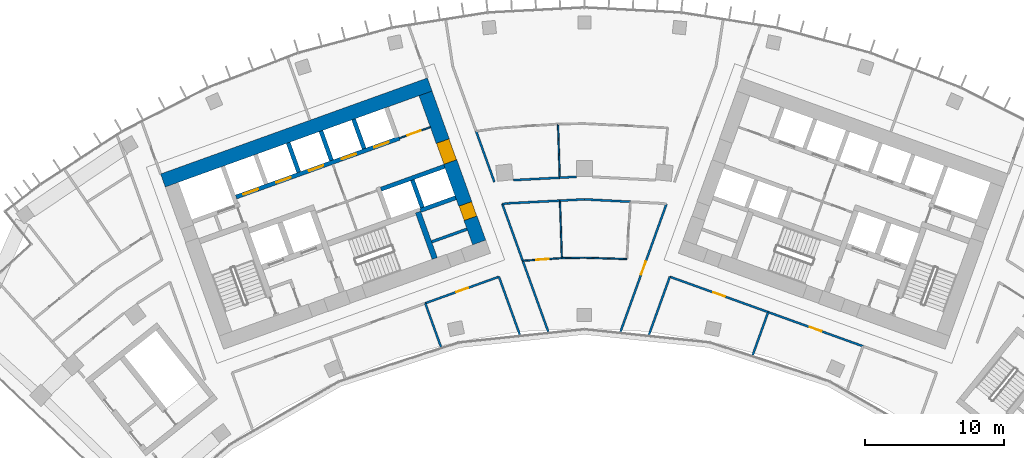
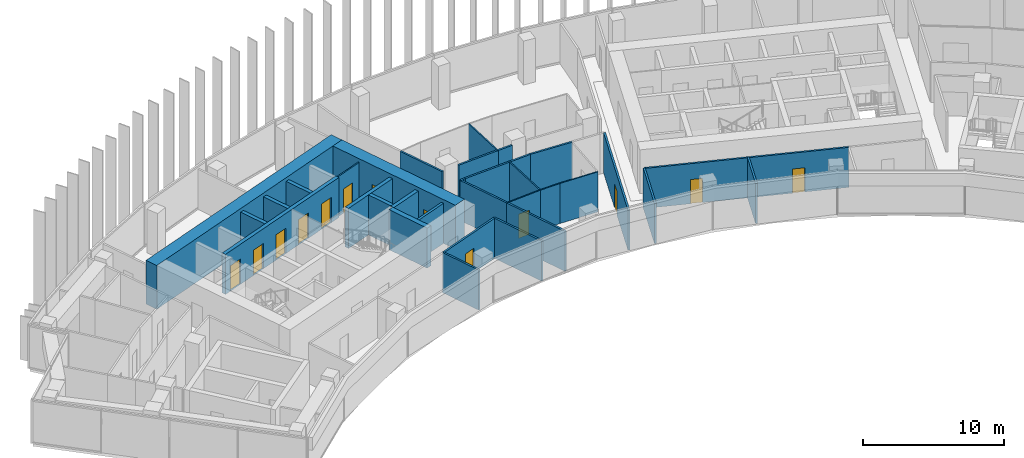
# One storey, part 15 of 20: 34 walls, 13 doors, 13 openings.
"""IFC4 building model written with IfcOpenShell, lengths in metres."""

from ifc_helpers import new_model, si_unit, direction, frame, frame_2d, origin, place, context, subcontext, project, spatial, rectangle, extrude, material, layer, layer_set, type_object, element, fill, save


model = new_model("IFC4")

# Units and contexts
model_context = context("Model", 3, precision=1e-05, world=origin(), true_north=direction((0.0, 1.0)))
body_context = subcontext(model_context, "Body", "Model", "MODEL_VIEW")
ifc_project = project(units=[si_unit("LENGTHUNIT", "METRE"), si_unit("AREAUNIT", "SQUARE_METRE"), si_unit("VOLUMEUNIT", "CUBIC_METRE"), si_unit("PLANEANGLEUNIT", "RADIAN"), si_unit("MASSUNIT", "GRAM", prefix="KILO")], contexts=[model_context])

# Site, building, storey
site_placement = place(None, origin())
site = spatial("IfcSite", under=ifc_project, at=site_placement, CompositionType="ELEMENT")
building_placement = place(site_placement, origin())
building = spatial("IfcBuilding", under=site, at=building_placement, Name="Stone Belt Terrace Tower", CompositionType="ELEMENT")
storey_placement = place(building_placement, frame((0.0, 0.0, 212.39990234375)))
storey = spatial("IfcBuildingStorey", under=building, at=storey_placement, Name="L51", CompositionType="ELEMENT", Elevation=212.39990234375)

# Wall, opening, door
ifc_material_1 = material(Name="Plasterboard partition")
ifc_layer_1 = layer(ifc_material_1, 0.10009765625)
ifc_layer_set_1 = layer_set([ifc_layer_1], Name="Core partition 100")
wall_type_1 = type_object("IfcWallType", Name="Core partition 100", PredefinedType="PARTITIONING", material=ifc_layer_set_1)
wall_1_placement = place(storey_placement, frame((-13.29638671875, 57.17529296875, 0.0), z_axis=(0.0, 0.0, 1.0), x_axis=(0.940904627055, 0.338671644496, 0.0)))
wall_1 = element("IfcWall", 1, at=wall_1_placement, inside=storey, type_object=wall_type_1, Name="Core A wall", PredefinedType="PARTITIONING", context=body_context, shape_type="SweptSolid", body=[
    extrude(rectangle(XDim=2.35009765625, YDim=0.10009765625, at=frame_2d((1.175048828125, 0.0))), origin(), (0.0, 0.0, 1.0), 3.47998046875),
])
opening_1_placement = place(wall_1_placement, frame((0.60009765625, 0.0, 0.0)))
opening_1 = element("IfcOpeningElement", 2, at=opening_1_placement, cuts=wall_1, Name="Opening L51-C01", PredefinedType="OPENING", context=body_context, shape_type="SweptSolid", body=[
    extrude(rectangle(XDim=1.0, YDim=2.10009765625, at=frame_2d((0.5, 1.050048828125))), frame((0.0, 0.06005859375, 0.0), z_axis=(0.0, -1.0, 0.0), x_axis=(1.0, 0.0, 0.0)), (0.0, 0.0, 1.0), 0.1201171875),
])
ifc_material_2 = material(Name="Timber door leaf", Category="wood")
door_type_1 = type_object("IfcDoorType", Name="Core room door 1000", OperationType="SINGLE_SWING_LEFT", PredefinedType="DOOR", material=ifc_material_2)
door_1_placement = place(opening_1_placement, origin())
door_1 = element("IfcDoor", 3, at=door_1_placement, inside=storey, type_object=door_type_1, Name="Door to Staff pantry core A", OperationType="SINGLE_SWING_LEFT", OverallHeight=2.10009765625, OverallWidth=1.0, PredefinedType="DOOR", context=body_context, shape_type="SweptSolid", body=[
    extrude(rectangle(XDim=1.0, YDim=2.10009765625, at=frame_2d((0.5, 1.050048828125))), frame((0.0, 0.02490234375, 0.0), z_axis=(0.0, -1.0, 0.0), x_axis=(1.0, 0.0, 0.0)), (0.0, 0.0, 1.0), 0.050048828125),
])
fill(opening_1, door_1)

# Wall
ifc_material_3 = material(Name="Concrete B60", Category="concrete")
ifc_layer_2 = layer(ifc_material_3, 1.0)
ifc_layer_set_2 = layer_set([ifc_layer_2], Name="Core wall 1000 B60")
wall_type_2 = type_object("IfcWallType", Name="Core wall 1000 B60", PredefinedType="SHEAR", material=ifc_layer_set_2)
wall_2_placement = place(storey_placement, frame((-30.3212890625, 54.13037109375, 0.0), z_axis=(0.0, 0.0, 1.0), x_axis=(0.940921428504, 0.338624962727, 0.0)))
element("IfcWall", 4, at=wall_2_placement, inside=storey, type_object=wall_type_2, Name="Core A wall convex L51", PredefinedType="SHEAR", context=body_context, shape_type="SweptSolid", body=[
    extrude(rectangle(XDim=20.400146484375, YDim=1.0, at=frame_2d((10.2001953125, 0.0))), origin(), (0.0, 0.0, 1.0), 3.800048828125),
])

# Wall, openings, doors
wall_3_placement = place(storey_placement, frame((-7.567138671875, 49.672119140625, 0.0), z_axis=(0.0, 0.0, 1.0), x_axis=(-0.338625431531, 0.940921259788, 0.0)))
wall_3 = element("IfcWall", 5, at=wall_3_placement, inside=storey, type_object=wall_type_2, Name="Core A wall end_b L51", PredefinedType="SHEAR", context=body_context, shape_type="SweptSolid", body=[
    extrude(rectangle(XDim=11.400146484375, YDim=1.0, at=frame_2d((5.7001953125, 0.0))), origin(), (0.0, 0.0, 1.0), 3.800048828125),
])
opening_2_placement = place(wall_3_placement, frame((6.14990234375, 0.0, 0.0)))
opening_2 = element("IfcOpeningElement", 6, at=opening_2_placement, cuts=wall_3, Name="Opening L51-C07", PredefinedType="OPENING", context=body_context, shape_type="SweptSolid", body=[
    extrude(rectangle(XDim=1.60009765625, YDim=2.10009765625, at=frame_2d((0.800048828125, 1.050048828125))), frame((0.0, 0.510009765625, 0.0), z_axis=(0.0, -1.0, 0.0), x_axis=(1.0, 0.0, 0.0)), (0.0, 0.0, 1.0), 1.02001953125),
])
opening_3_placement = place(wall_3_placement, frame((1.85009765625, 0.0, 0.0)))
opening_3 = element("IfcOpeningElement", 7, at=opening_3_placement, cuts=wall_3, Name="Opening L51-C13", PredefinedType="OPENING", context=body_context, shape_type="SweptSolid", body=[
    extrude(rectangle(XDim=1.10009765625, YDim=2.10009765625, at=frame_2d((0.550048828125, 1.050048828125))), frame((0.0, 0.510009765625, 0.0), z_axis=(0.0, -1.0, 0.0), x_axis=(1.0, 0.0, 0.0)), (0.0, 0.0, 1.0), 1.02001953125),
])
door_type_2 = type_object("IfcDoorType", Name="Core room door 1100", OperationType="SINGLE_SWING_LEFT", PredefinedType="DOOR", material=ifc_material_2)
door_2_placement = place(opening_3_placement, origin())
door_2 = element("IfcDoor", 8, at=door_2_placement, inside=storey, type_object=door_type_2, Name="Door to Accessible WC core A", OperationType="SINGLE_SWING_RIGHT", OverallHeight=2.10009765625, OverallWidth=1.10009765625, PredefinedType="DOOR", context=body_context, shape_type="SweptSolid", body=[
    extrude(rectangle(XDim=1.10009765625, YDim=2.10009765625, at=frame_2d((0.550048828125, 1.050048828125))), frame((0.0, 0.47998046875, 0.0), z_axis=(0.0, -1.0, 0.0), x_axis=(1.0, 0.0, 0.0)), (0.0, 0.0, 1.0), 0.9599609375),
])
fill(opening_3, door_2)
ifc_material_4 = material(Name="Glazed aluminium door leaf", Category="aluminium")
door_type_3 = type_object("IfcDoorType", Name="Lift lobby entrance door 1600", OperationType="DOUBLE_DOOR_SINGLE_SWING", PredefinedType="DOOR", material=ifc_material_4)
door_3_placement = place(opening_2_placement, origin())
door_3 = element("IfcDoor", 9, at=door_3_placement, inside=storey, type_object=door_type_3, Name="Lift lobby entrance door core A", OperationType="DOUBLE_DOOR_SINGLE_SWING", OverallHeight=2.10009765625, OverallWidth=1.60009765625, PredefinedType="DOOR", context=body_context, shape_type="SweptSolid", body=[
    extrude(rectangle(XDim=1.60009765625, YDim=2.10009765625, at=frame_2d((0.800048828125, 1.050048828125))), frame((0.0, 0.47998046875, 0.0), z_axis=(0.0, -1.0, 0.0), x_axis=(1.0, 0.0, 0.0)), (0.0, 0.0, 1.0), 0.9599609375),
])
fill(opening_2, door_3)

ifc_material_5 = material(Name="Concrete B80", Category="concrete")
ifc_layer_3 = layer(ifc_material_5, 0.300048828125)
ifc_layer_set_3 = layer_set([ifc_layer_3], Name="Lift shaft wall 300")
wall_type_3 = type_object("IfcWallType", Name="Lift shaft wall 300", PredefinedType="SHEAR", material=ifc_layer_set_3)
wall_4_placement = place(storey_placement, frame((-25.05810546875, 52.9423828125, 0.0), z_axis=(0.0, 0.0, 1.0), x_axis=(0.940920770291, 0.338626791666, 0.0)))
wall_4 = element("IfcWall", 10, at=wall_4_placement, inside=storey, type_object=wall_type_3, Name="Core A wall", PredefinedType="SHEAR", context=body_context, shape_type="SweptSolid", body=[
    extrude(rectangle(XDim=12.500244140625, YDim=0.300048828125, at=frame_2d((6.25, 0.0))), origin(), (0.0, 0.0, 1.0), 3.47998046875),
])
opening_4_placement = place(wall_4_placement, frame((0.570068359375, 0.0, 0.0)))
opening_4 = element("IfcOpeningElement", 11, at=opening_4_placement, cuts=wall_4, Name="Opening L51-LD01", PredefinedType="OPENING", context=body_context, shape_type="SweptSolid", body=[
    extrude(rectangle(XDim=1.10009765625, YDim=2.199951171875, at=frame_2d((0.550048828125, 1.10009765625))), frame((0.0, 0.159912109375, 0.0), z_axis=(0.0, -1.0, 0.0), x_axis=(1.0, 0.0, 0.0)), (0.0, 0.0, 1.0), 0.320068359375),
])
opening_5_placement = place(wall_4_placement, frame((3.070068359375, 0.0, 0.0)))
opening_5 = element("IfcOpeningElement", 12, at=opening_5_placement, cuts=wall_4, Name="Opening L51-LD02", PredefinedType="OPENING", context=body_context, shape_type="SweptSolid", body=[
    extrude(rectangle(XDim=1.10009765625, YDim=2.199951171875, at=frame_2d((0.550048828125, 1.10009765625))), frame((0.0, 0.159912109375, 0.0), z_axis=(0.0, -1.0, 0.0), x_axis=(1.0, 0.0, 0.0)), (0.0, 0.0, 1.0), 0.320068359375),
])
opening_6_placement = place(wall_4_placement, frame((5.570068359375, 0.0, 0.0)))
opening_6 = element("IfcOpeningElement", 13, at=opening_6_placement, cuts=wall_4, Name="Opening L51-LD03", PredefinedType="OPENING", context=body_context, shape_type="SweptSolid", body=[
    extrude(rectangle(XDim=1.10009765625, YDim=2.199951171875, at=frame_2d((0.550048828125, 1.10009765625))), frame((0.0, 0.159912109375, 0.0), z_axis=(0.0, -1.0, 0.0), x_axis=(1.0, 0.0, 0.0)), (0.0, 0.0, 1.0), 0.320068359375),
])
opening_7_placement = place(wall_4_placement, frame((8.070068359375, 0.0, 0.0)))
opening_7 = element("IfcOpeningElement", 14, at=opening_7_placement, cuts=wall_4, Name="Opening L51-LD04", PredefinedType="OPENING", context=body_context, shape_type="SweptSolid", body=[
    extrude(rectangle(XDim=1.10009765625, YDim=2.199951171875, at=frame_2d((0.550048828125, 1.10009765625))), frame((0.0, 0.159912109375, 0.0), z_axis=(0.0, -1.0, 0.0), x_axis=(1.0, 0.0, 0.0)), (0.0, 0.0, 1.0), 0.320068359375),
])
opening_8_placement = place(wall_4_placement, frame((10.570068359375, 0.0, 0.0)))
opening_8 = element("IfcOpeningElement", 15, at=opening_8_placement, cuts=wall_4, Name="Opening L51-LD05", PredefinedType="OPENING", context=body_context, shape_type="SweptSolid", body=[
    extrude(rectangle(XDim=1.10009765625, YDim=2.199951171875, at=frame_2d((0.550048828125, 1.10009765625))), frame((0.0, 0.159912109375, 0.0), z_axis=(0.0, -1.0, 0.0), x_axis=(1.0, 0.0, 0.0)), (0.0, 0.0, 1.0), 0.320068359375),
])
ifc_material_6 = material(Name="Stainless steel door leaf", Category="steel")
door_type_4 = type_object("IfcDoorType", Name="Landing door 1100", OperationType="SLIDING_TO_LEFT", PredefinedType="DOOR", material=ifc_material_6)
door_4_placement = place(opening_4_placement, origin())
door_4 = element("IfcDoor", 16, at=door_4_placement, inside=storey, type_object=door_type_4, Name="Landing door MR1 core A", OperationType="SLIDING_TO_LEFT", OverallHeight=2.199951171875, OverallWidth=1.10009765625, PredefinedType="DOOR", context=body_context, shape_type="SweptSolid", body=[
    extrude(rectangle(XDim=1.10009765625, YDim=2.199951171875, at=frame_2d((0.550048828125, 1.10009765625))), frame((0.0, 0.02490234375, 0.0), z_axis=(0.0, -1.0, 0.0), x_axis=(1.0, 0.0, 0.0)), (0.0, 0.0, 1.0), 0.050048828125),
])
fill(opening_4, door_4)
door_5_placement = place(opening_5_placement, origin())
door_5 = element("IfcDoor", 17, at=door_5_placement, inside=storey, type_object=door_type_4, Name="Landing door MR2 core A", OperationType="SLIDING_TO_LEFT", OverallHeight=2.199951171875, OverallWidth=1.10009765625, PredefinedType="DOOR", context=body_context, shape_type="SweptSolid", body=[
    extrude(rectangle(XDim=1.10009765625, YDim=2.199951171875, at=frame_2d((0.550048828125, 1.10009765625))), frame((0.0, 0.02490234375, 0.0), z_axis=(0.0, -1.0, 0.0), x_axis=(1.0, 0.0, 0.0)), (0.0, 0.0, 1.0), 0.050048828125),
])
fill(opening_5, door_5)
door_6_placement = place(opening_6_placement, origin())
door_6 = element("IfcDoor", 18, at=door_6_placement, inside=storey, type_object=door_type_4, Name="Landing door MR3 core A", OperationType="SLIDING_TO_LEFT", OverallHeight=2.199951171875, OverallWidth=1.10009765625, PredefinedType="DOOR", context=body_context, shape_type="SweptSolid", body=[
    extrude(rectangle(XDim=1.10009765625, YDim=2.199951171875, at=frame_2d((0.550048828125, 1.10009765625))), frame((0.0, 0.02490234375, 0.0), z_axis=(0.0, -1.0, 0.0), x_axis=(1.0, 0.0, 0.0)), (0.0, 0.0, 1.0), 0.050048828125),
])
fill(opening_6, door_6)
door_7_placement = place(opening_7_placement, origin())
door_7 = element("IfcDoor", 19, at=door_7_placement, inside=storey, type_object=door_type_4, Name="Landing door MR4 core A", OperationType="SLIDING_TO_LEFT", OverallHeight=2.199951171875, OverallWidth=1.10009765625, PredefinedType="DOOR", context=body_context, shape_type="SweptSolid", body=[
    extrude(rectangle(XDim=1.10009765625, YDim=2.199951171875, at=frame_2d((0.550048828125, 1.10009765625))), frame((0.0, 0.02490234375, 0.0), z_axis=(0.0, -1.0, 0.0), x_axis=(1.0, 0.0, 0.0)), (0.0, 0.0, 1.0), 0.050048828125),
])
fill(opening_7, door_7)
door_8_placement = place(opening_8_placement, origin())
door_8 = element("IfcDoor", 20, at=door_8_placement, inside=storey, type_object=door_type_4, Name="Landing door MR5 core A", OperationType="SLIDING_TO_LEFT", OverallHeight=2.199951171875, OverallWidth=1.10009765625, PredefinedType="DOOR", context=body_context, shape_type="SweptSolid", body=[
    extrude(rectangle(XDim=1.10009765625, YDim=2.199951171875, at=frame_2d((0.550048828125, 1.10009765625))), frame((0.0, 0.02490234375, 0.0), z_axis=(0.0, -1.0, 0.0), x_axis=(1.0, 0.0, 0.0)), (0.0, 0.0, 1.0), 0.050048828125),
])
fill(opening_8, door_8)

# Walls
wall_5_placement = place(storey_placement, frame((-20.54541015625, 54.72607421875, 0.0), z_axis=(0.0, 0.0, 1.0), x_axis=(-0.338569601369, 0.940941350472, 0.0)))
element("IfcWall", 21, at=wall_5_placement, inside=storey, type_object=wall_type_3, Name="Core A wall", PredefinedType="SHEAR", context=body_context, shape_type="SweptSolid", body=[
    extrude(rectangle(XDim=2.249755859375, YDim=0.300048828125, at=frame_2d((1.125, 0.0))), origin(), (0.0, 0.0, 1.0), 3.47998046875),
])
wall_6_placement = place(storey_placement, frame((-18.193115234375, 55.572509765625, 0.0), z_axis=(0.0, 0.0, 1.0), x_axis=(-0.338535034312, 0.940953787677, 0.0)))
element("IfcWall", 22, at=wall_6_placement, inside=storey, type_object=wall_type_3, Name="Core A wall", PredefinedType="SHEAR", context=body_context, shape_type="SweptSolid", body=[
    extrude(rectangle(XDim=2.25, YDim=0.300048828125, at=frame_2d((1.125, 0.0))), origin(), (0.0, 0.0, 1.0), 3.47998046875),
])
wall_7_placement = place(storey_placement, frame((-14.6328125, 53.506103515625, 0.0), z_axis=(0.0, 0.0, 1.0), x_axis=(0.940931684323, 0.338596464007, 0.0)))
element("IfcWall", 23, at=wall_7_placement, inside=storey, type_object=wall_type_3, Name="Core A wall", PredefinedType="SHEAR", context=body_context, shape_type="SweptSolid", body=[
    extrude(rectangle(XDim=4.849609375, YDim=0.300048828125, at=frame_2d((2.4248046875, 0.0))), origin(), (0.0, 0.0, 1.0), 3.47998046875),
])
wall_8_placement = place(storey_placement, frame((-15.8408203125, 56.419189453125, 0.0), z_axis=(0.0, 0.0, 1.0), x_axis=(-0.338569601369, 0.940941350472, 0.0)))
element("IfcWall", 24, at=wall_8_placement, inside=storey, type_object=wall_type_3, Name="Core A wall", PredefinedType="SHEAR", context=body_context, shape_type="SweptSolid", body=[
    extrude(rectangle(XDim=2.249755859375, YDim=0.300048828125, at=frame_2d((1.125, 0.0))), origin(), (0.0, 0.0, 1.0), 3.47998046875),
])
wall_9_placement = place(storey_placement, frame((-11.797119140625, 51.975830078125, 0.0), z_axis=(0.0, 0.0, 1.0), x_axis=(0.940910465161, 0.33865542451, 0.0)))
element("IfcWall", 25, at=wall_9_placement, inside=storey, type_object=wall_type_3, Name="Core A wall", PredefinedType="SHEAR", context=body_context, shape_type="SweptSolid", body=[
    extrude(rectangle(XDim=2.69970703125, YDim=0.300048828125, at=frame_2d((1.349853515625, 0.0))), origin(), (0.0, 0.0, 1.0), 3.47998046875),
])
wall_10_placement = place(storey_placement, frame((-11.659912109375, 52.184814453125, 0.0), z_axis=(0.0, 0.0, 1.0), x_axis=(-0.338670064856, 0.940905195634, 0.0)))
element("IfcWall", 26, at=wall_10_placement, inside=storey, type_object=wall_type_3, Name="Core A wall", PredefinedType="SHEAR", context=body_context, shape_type="SweptSolid", body=[
    extrude(rectangle(XDim=2.099853515625, YDim=0.300048828125, at=frame_2d((1.0498046875, 0.0))), origin(), (0.0, 0.0, 1.0), 3.47998046875),
])

# Wall, opening, door
ifc_material_7 = material(Name="Gypsum board partition")
ifc_layer_4 = layer(ifc_material_7, 0.10009765625)
ifc_layer_set_4 = layer_set([ifc_layer_4], Name="PARTITION 100")
wall_type_4 = type_object("IfcWallType", Name="PARTITION 100", PredefinedType="PARTITIONING", material=ifc_layer_set_4)
wall_11_placement = place(storey_placement, frame((-4.43505859375, 48.35302734375, 0.0), z_axis=(0.0, 0.0, 1.0), x_axis=(0.997607542548, 0.069131693538, 0.0)))
wall_11 = element("IfcWall", 27, at=wall_11_placement, inside=storey, type_object=wall_type_4, Name="L51/wall/i081", PredefinedType="PARTITIONING", context=body_context, shape_type="SweptSolid", body=[
    extrude(rectangle(XDim=2.82177734375, YDim=0.10009765625, at=frame_2d((1.410888671875, 0.0))), origin(), (0.0, 0.0, 1.0), 3.47998046875),
])
opening_9_placement = place(wall_11_placement, frame((0.9609375, 0.0, 0.0)))
opening_9 = element("IfcOpeningElement", 28, at=opening_9_placement, cuts=wall_11, Name="Opening D-D2b-23", PredefinedType="OPENING", context=body_context, shape_type="SweptSolid", body=[
    extrude(rectangle(XDim=0.89990234375, YDim=2.10009765625, at=frame_2d((0.449951171875, 1.050048828125))), frame((0.0, 0.06005859375, 0.0), z_axis=(0.0, -1.0, 0.0), x_axis=(1.0, 0.0, 0.0)), (0.0, 0.0, 1.0), 0.1201171875),
])
door_type_5 = type_object("IfcDoorType", Name="OFFICE DOOR 900 X 2100", OperationType="NOTDEFINED", PredefinedType="DOOR", material=ifc_material_2)
door_9_placement = place(opening_9_placement, origin())
door_9 = element("IfcDoor", 29, at=door_9_placement, inside=storey, type_object=door_type_5, Name="L51/door/i23", OperationType="SINGLE_SWING_RIGHT", OverallHeight=2.10009765625, OverallWidth=0.89990234375, PredefinedType="DOOR", context=body_context, shape_type="SweptSolid", body=[
    extrude(rectangle(XDim=0.89990234375, YDim=2.10009765625, at=frame_2d((0.449951171875, 1.050048828125))), frame((0.0, 0.02490234375, 0.0), z_axis=(0.0, -1.0, 0.0), x_axis=(1.0, 0.0, 0.0)), (0.0, 0.0, 1.0), 0.050048828125),
])
fill(opening_9, door_9)

# Walls
wall_12_placement = place(storey_placement, frame((-1.6201171875, 48.548095703125, 0.0), z_axis=(0.0, 0.0, 1.0), x_axis=(0.999862642261, 0.016573973877, 0.0)))
element("IfcWall", 30, at=wall_12_placement, inside=storey, type_object=wall_type_4, Name="L51/wall/i082", PredefinedType="PARTITIONING", context=body_context, shape_type="SweptSolid", body=[
    extrude(rectangle(XDim=1.620361328125, YDim=0.10009765625, at=frame_2d((0.81005859375, 0.0))), origin(), (0.0, 0.0, 1.0), 3.47998046875),
])
wall_13_placement = place(storey_placement, frame((0.0, 48.574951171875, 0.0), z_axis=(0.0, 0.0, 1.0), x_axis=(0.999505892336, -0.031432008937, 0.0)))
element("IfcWall", 31, at=wall_13_placement, inside=storey, type_object=wall_type_4, Name="L51/wall/i083", PredefinedType="PARTITIONING", context=body_context, shape_type="SweptSolid", body=[
    extrude(rectangle(XDim=3.052490234375, YDim=0.10009765625, at=frame_2d((1.5263671875, 0.0))), origin(), (0.0, 0.0, 1.0), 3.47998046875),
])
wall_14_placement = place(storey_placement, frame((-1.758056640625, 52.68310546875, 0.0), z_axis=(0.0, 0.0, 1.0), x_axis=(0.033340372629, -0.999444055239, 0.0)))
element("IfcWall", 32, at=wall_14_placement, inside=storey, type_object=wall_type_4, Name="L51/wall/i085", PredefinedType="PARTITIONING", context=body_context, shape_type="SweptSolid", body=[
    extrude(rectangle(XDim=4.13720703125, YDim=0.10009765625, at=frame_2d((2.068603515625, 0.0))), origin(), (0.0, 0.0, 1.0), 3.47998046875),
])
wall_15_placement = place(storey_placement, frame((-1.89892578125, 58.194091796875, 0.0), z_axis=(0.0, 0.0, 1.0), x_axis=(0.03285411733, -0.999460157772, 0.0)))
element("IfcWall", 33, at=wall_15_placement, inside=storey, type_object=wall_type_4, Name="L51/wall/i091", PredefinedType="PARTITIONING", context=body_context, shape_type="SweptSolid", body=[
    extrude(rectangle(XDim=3.8642578125, YDim=0.10009765625, at=frame_2d((1.93212890625, 0.0))), origin(), (0.0, 0.0, 1.0), 3.47998046875),
])
ifc_layer_5 = layer(ifc_material_7, 0.14990234375)
ifc_layer_set_5 = layer_set([ifc_layer_5], Name="PARTITION 150 EI 60")
wall_type_5 = type_object("IfcWallType", Name="PARTITION 150 EI 60", PredefinedType="PARTITIONING", material=ifc_layer_set_5)
wall_16_placement = place(storey_placement, frame((-4.638427734375, 43.012451171875, 0.0), z_axis=(0.0, 0.0, 1.0), x_axis=(-0.338583902482, 0.940936204522, 0.0)))
element("IfcWall", 34, at=wall_16_placement, inside=storey, type_object=wall_type_5, Name="L51/wall/i008", PredefinedType="PARTITIONING", context=body_context, shape_type="SweptSolid", body=[
    extrude(rectangle(XDim=4.464111328125, YDim=0.14990234375, at=frame_2d((2.23193359375, 0.0))), origin(), (0.0, 0.0, 1.0), 3.47998046875),
])
wall_17_placement = place(storey_placement, frame((-4.43701171875, 48.35888671875, 0.0), z_axis=(0.0, 0.0, 1.0), x_axis=(0.338675079684, -0.940903390578, 0.0)))
element("IfcWall", 35, at=wall_17_placement, inside=storey, type_object=wall_type_5, Name="L51/wall/i010", PredefinedType="PARTITIONING", context=body_context, shape_type="SweptSolid", body=[
    extrude(rectangle(XDim=5.453369140625, YDim=0.14990234375, at=frame_2d((2.7265625, 0.0))), origin(), (0.0, 0.0, 1.0), 3.47998046875),
])
wall_18_placement = place(storey_placement, frame((-5.906005859375, 52.44091796875, 0.0), z_axis=(0.0, 0.0, 1.0), x_axis=(0.338528709478, -0.940956063193, 0.0)))
element("IfcWall", 36, at=wall_18_placement, inside=storey, type_object=wall_type_5, Name="L51/wall/i011", PredefinedType="PARTITIONING", context=body_context, shape_type="SweptSolid", body=[
    extrude(rectangle(XDim=4.350830078125, YDim=0.14990234375, at=frame_2d((2.17529296875, 0.0))), origin(), (0.0, 0.0, 1.0), 3.47998046875),
])
wall_19_placement = place(storey_placement, frame((-7.791015625, 57.677978515625, 0.0), z_axis=(0.0, 0.0, 1.0), x_axis=(0.338503743671, -0.940965044792, 0.0)))
element("IfcWall", 37, at=wall_19_placement, inside=storey, type_object=wall_type_5, Name="L51/wall/i014", PredefinedType="PARTITIONING", context=body_context, shape_type="SweptSolid", body=[
    extrude(rectangle(XDim=3.887451171875, YDim=0.14990234375, at=frame_2d((1.94384765625, 0.0))), origin(), (0.0, 0.0, 1.0), 3.47998046875),
])

# Wall, opening, door
wall_20_placement = place(storey_placement, frame((-6.14892578125, 47.20703125, 0.0), z_axis=(0.0, 0.0, 1.0), x_axis=(-0.940959690795, -0.338518626223, 0.0)))
wall_20 = element("IfcWall", 38, at=wall_20_placement, inside=storey, type_object=wall_type_5, Name="L51/wall/i017", PredefinedType="PARTITIONING", context=body_context, shape_type="SweptSolid", body=[
    extrude(rectangle(XDim=5.63916015625, YDim=0.14990234375, at=frame_2d((2.819580078125, 0.0))), origin(), (0.0, 0.0, 1.0), 3.47998046875),
])
opening_10_placement = place(wall_20_placement, frame((2.369384765625, 0.0, 0.0)))
opening_10 = element("IfcOpeningElement", 39, at=opening_10_placement, cuts=wall_20, Name="Opening D-D2b-03", PredefinedType="OPENING", context=body_context, shape_type="SweptSolid", body=[
    extrude(rectangle(XDim=0.89990234375, YDim=2.10009765625, at=frame_2d((0.449951171875, 1.050048828125))), frame((0.0, 0.0849609375, 0.0), z_axis=(0.0, -1.0, 0.0), x_axis=(1.0, 0.0, 0.0)), (0.0, 0.0, 1.0), 0.169921875),
])
door_10_placement = place(opening_10_placement, origin())
door_10 = element("IfcDoor", 40, at=door_10_placement, inside=storey, type_object=door_type_5, Name="L51/door/i03", OperationType="SINGLE_SWING_RIGHT", OverallHeight=2.10009765625, OverallWidth=0.89990234375, PredefinedType="DOOR", context=body_context, shape_type="SweptSolid", body=[
    extrude(rectangle(XDim=0.89990234375, YDim=2.10009765625, at=frame_2d((0.449951171875, 1.050048828125))), frame((0.0, 0.02490234375, 0.0), z_axis=(0.0, -1.0, 0.0), x_axis=(1.0, 0.0, 0.0)), (0.0, 0.0, 1.0), 0.050048828125),
])
fill(opening_10, door_10)

# Walls
wall_21_placement = place(storey_placement, frame((-11.448974609375, 45.299072265625, 0.0), z_axis=(0.0, 0.0, 1.0), x_axis=(0.338613969627, -0.9409253847, 0.0)))
element("IfcWall", 41, at=wall_21_placement, inside=storey, type_object=wall_type_5, Name="L51/wall/i020", PredefinedType="PARTITIONING", context=body_context, shape_type="SweptSolid", body=[
    extrude(rectangle(XDim=3.35986328125, YDim=0.14990234375, at=frame_2d((1.679931640625, 0.0))), origin(), (0.0, 0.0, 1.0), 3.47998046875),
])
wall_22_placement = place(storey_placement, frame((6.14990234375, 47.212890625, 0.0), z_axis=(0.0, 0.0, 1.0), x_axis=(-0.338583902482, -0.940936204522, 0.0)))
element("IfcWall", 42, at=wall_22_placement, inside=storey, type_object=wall_type_5, Name="L51/wall/i022", PredefinedType="PARTITIONING", context=body_context, shape_type="SweptSolid", body=[
    extrude(rectangle(XDim=4.464111328125, YDim=0.14990234375, at=frame_2d((2.23193359375, 0.0))), origin(), (0.0, 0.0, 1.0), 3.47998046875),
])

# Wall, opening, door
wall_23_placement = place(storey_placement, frame((2.590087890625, 43.227783203125, 0.0), z_axis=(0.0, 0.0, 1.0), x_axis=(0.33864618549, 0.940913790447, 0.0)))
wall_23 = element("IfcWall", 43, at=wall_23_placement, inside=storey, type_object=wall_type_5, Name="L51/wall/i024", PredefinedType="PARTITIONING", context=body_context, shape_type="SweptSolid", body=[
    extrude(rectangle(XDim=9.791748046875, YDim=0.14990234375, at=frame_2d((4.89599609375, 0.0))), origin(), (0.0, 0.0, 1.0), 3.47998046875),
])
opening_11_placement = place(wall_23_placement, frame((4.39599609375, 0.0, 0.0)))
opening_11 = element("IfcOpeningElement", 44, at=opening_11_placement, cuts=wall_23, Name="Opening D-D2b-22", PredefinedType="OPENING", context=body_context, shape_type="SweptSolid", body=[
    extrude(rectangle(XDim=1.0, YDim=2.10009765625, at=frame_2d((0.5, 1.050048828125))), frame((0.0, 0.0849609375, 0.0), z_axis=(0.0, -1.0, 0.0), x_axis=(1.0, 0.0, 0.0)), (0.0, 0.0, 1.0), 0.169921875),
])
ifc_material_8 = material(Name="Timber fire door leaf", Category="wood")
door_type_6 = type_object("IfcDoorType", Name="TENANCY ENTRANCE DOOR 1000 X 2100", OperationType="NOTDEFINED", PredefinedType="DOOR", material=ifc_material_8)
door_11_placement = place(opening_11_placement, origin())
door_11 = element("IfcDoor", 45, at=door_11_placement, inside=storey, type_object=door_type_6, Name="L51/door/i22", OperationType="SINGLE_SWING_LEFT", OverallHeight=2.10009765625, OverallWidth=1.0, PredefinedType="DOOR", context=body_context, shape_type="SweptSolid", body=[
    extrude(rectangle(XDim=1.0, YDim=2.10009765625, at=frame_2d((0.5, 1.050048828125))), frame((0.0, 0.02490234375, 0.0), z_axis=(0.0, -1.0, 0.0), x_axis=(1.0, 0.0, 0.0)), (0.0, 0.0, 1.0), 0.050048828125),
])
fill(opening_11, door_11)

wall_24_placement = place(storey_placement, frame((13.22705078125, 44.659912109375, 0.0), z_axis=(0.0, 0.0, 1.0), x_axis=(-0.940930018607, 0.338601092858, 0.0)))
wall_24 = element("IfcWall", 46, at=wall_24_placement, inside=storey, type_object=wall_type_5, Name="L51/wall/i033", PredefinedType="PARTITIONING", context=body_context, shape_type="SweptSolid", body=[
    extrude(rectangle(XDim=7.5224609375, YDim=0.14990234375, at=frame_2d((3.76123046875, 0.0))), origin(), (0.0, 0.0, 1.0), 3.47998046875),
])
opening_12_placement = place(wall_24_placement, frame((3.311279296875, 0.0, 0.0)))
opening_12 = element("IfcOpeningElement", 47, at=opening_12_placement, cuts=wall_24, Name="Opening D-D2b-06", PredefinedType="OPENING", context=body_context, shape_type="SweptSolid", body=[
    extrude(rectangle(XDim=0.89990234375, YDim=2.10009765625, at=frame_2d((0.449951171875, 1.050048828125))), frame((0.0, 0.0849609375, 0.0), z_axis=(0.0, -1.0, 0.0), x_axis=(1.0, 0.0, 0.0)), (0.0, 0.0, 1.0), 0.169921875),
])
door_12_placement = place(opening_12_placement, origin())
door_12 = element("IfcDoor", 48, at=door_12_placement, inside=storey, type_object=door_type_5, Name="L51/door/i06", OperationType="SINGLE_SWING_RIGHT", OverallHeight=2.10009765625, OverallWidth=0.89990234375, PredefinedType="DOOR", context=body_context, shape_type="SweptSolid", body=[
    extrude(rectangle(XDim=0.89990234375, YDim=2.10009765625, at=frame_2d((0.449951171875, 1.050048828125))), frame((0.0, 0.02490234375, 0.0), z_axis=(0.0, -1.0, 0.0), x_axis=(1.0, 0.0, 0.0)), (0.0, 0.0, 1.0), 0.050048828125),
])
fill(opening_12, door_12)

wall_25_placement = place(storey_placement, frame((20.049072265625, 42.205078125, 0.0), z_axis=(0.0, 0.0, 1.0), x_axis=(-0.940942249556, 0.338567102655, 0.0)))
wall_25 = element("IfcWall", 49, at=wall_25_placement, inside=storey, type_object=wall_type_5, Name="L51/wall/i034", PredefinedType="PARTITIONING", context=body_context, shape_type="SweptSolid", body=[
    extrude(rectangle(XDim=7.262939453125, YDim=0.14990234375, at=frame_2d((3.63134765625, 0.0))), origin(), (0.0, 0.0, 1.0), 3.47998046875),
])
opening_13_placement = place(wall_25_placement, frame((3.181396484375, 0.0, 0.0)))
opening_13 = element("IfcOpeningElement", 50, at=opening_13_placement, cuts=wall_25, Name="Opening D-D2b-07", PredefinedType="OPENING", context=body_context, shape_type="SweptSolid", body=[
    extrude(rectangle(XDim=0.89990234375, YDim=2.10009765625, at=frame_2d((0.449951171875, 1.050048828125))), frame((0.0, 0.0849609375, 0.0), z_axis=(0.0, -1.0, 0.0), x_axis=(1.0, 0.0, 0.0)), (0.0, 0.0, 1.0), 0.169921875),
])
door_13_placement = place(opening_13_placement, origin())
door_13 = element("IfcDoor", 51, at=door_13_placement, inside=storey, type_object=door_type_5, Name="L51/door/i07", OperationType="SINGLE_SWING_RIGHT", OverallHeight=2.10009765625, OverallWidth=0.89990234375, PredefinedType="DOOR", context=body_context, shape_type="SweptSolid", body=[
    extrude(rectangle(XDim=0.89990234375, YDim=2.10009765625, at=frame_2d((0.449951171875, 1.050048828125))), frame((0.0, 0.02490234375, 0.0), z_axis=(0.0, -1.0, 0.0), x_axis=(1.0, 0.0, 0.0)), (0.0, 0.0, 1.0), 0.050048828125),
])
fill(opening_13, door_13)

# Walls
wall_26_placement = place(storey_placement, frame((13.220947265625, 44.662109375, 0.0), z_axis=(0.0, 0.0, 1.0), x_axis=(-0.338677571581, -0.940902493624, 0.0)))
element("IfcWall", 52, at=wall_26_placement, inside=storey, type_object=wall_type_5, Name="L51/wall/i036", PredefinedType="PARTITIONING", context=body_context, shape_type="SweptSolid", body=[
    extrude(rectangle(XDim=3.301513671875, YDim=0.14990234375, at=frame_2d((1.65087890625, 0.0))), origin(), (0.0, 0.0, 1.0), 3.47998046875),
])
wall_27_placement = place(storey_placement, frame((-1.751953125, 52.68310546875, 0.0), z_axis=(0.0, 0.0, 1.0), x_axis=(-0.99863299609, -0.052269868196, 0.0)))
element("IfcWall", 53, at=wall_27_placement, inside=storey, type_object=wall_type_5, Name="L51/wall/i074", PredefinedType="PARTITIONING", context=body_context, shape_type="SweptSolid", body=[
    extrude(rectangle(XDim=3.769287109375, YDim=0.14990234375, at=frame_2d((1.884765625, 0.0))), origin(), (0.0, 0.0, 1.0), 3.47998046875),
])
wall_28_placement = place(storey_placement, frame((-5.51611328125, 52.486083984375, 0.0), z_axis=(0.0, 0.0, 1.0), x_axis=(-0.991780421826, -0.127951533338, 0.0)))
element("IfcWall", 54, at=wall_28_placement, inside=storey, type_object=wall_type_5, Name="L51/wall/i075", PredefinedType="PARTITIONING", context=body_context, shape_type="SweptSolid", body=[
    extrude(rectangle(XDim=0.39111328125, YDim=0.14990234375, at=frame_2d((0.195556640625, 0.0))), origin(), (0.0, 0.0, 1.0), 3.47998046875),
])
wall_29_placement = place(storey_placement, frame((3.31591796875, 52.60107421875, 0.0), z_axis=(0.0, 0.0, 1.0), x_axis=(-0.998628775541, 0.052350440891, 0.0)))
element("IfcWall", 55, at=wall_29_placement, inside=storey, type_object=wall_type_5, Name="L51/wall/i076", PredefinedType="PARTITIONING", context=body_context, shape_type="SweptSolid", body=[
    extrude(rectangle(XDim=3.320556640625, YDim=0.14990234375, at=frame_2d((1.66015625, 0.0))), origin(), (0.0, 0.0, 1.0), 3.47998046875),
])
wall_30_placement = place(storey_placement, frame((0.0, 52.77490234375, 0.0), z_axis=(0.0, 0.0, 1.0), x_axis=(-0.998648584399, -0.051971192766, 0.0)))
element("IfcWall", 56, at=wall_30_placement, inside=storey, type_object=wall_type_5, Name="L51/wall/i077", PredefinedType="PARTITIONING", context=body_context, shape_type="SweptSolid", body=[
    extrude(rectangle(XDim=1.766357421875, YDim=0.14990234375, at=frame_2d((0.88330078125, 0.0))), origin(), (0.0, 0.0, 1.0), 3.47998046875),
])
wall_31_placement = place(storey_placement, frame((-5.115478515625, 54.156982421875, 0.0), z_axis=(0.0, 0.0, 1.0), x_axis=(0.998637066003, 0.052192053089, 0.0)))
element("IfcWall", 57, at=wall_31_placement, inside=storey, type_object=wall_type_5, Name="L51/wall/i078", PredefinedType="PARTITIONING", context=body_context, shape_type="SweptSolid", body=[
    extrude(rectangle(XDim=3.35400390625, YDim=0.14990234375, at=frame_2d((1.677001953125, 0.0))), origin(), (0.0, 0.0, 1.0), 3.47998046875),
])
wall_32_placement = place(storey_placement, frame((-1.778076171875, 54.33203125, 0.0), z_axis=(0.0, 0.0, 1.0), x_axis=(0.998635663079, 0.052218889557, 0.0)))
element("IfcWall", 58, at=wall_32_placement, inside=storey, type_object=wall_type_5, Name="L51/wall/i079", PredefinedType="PARTITIONING", context=body_context, shape_type="SweptSolid", body=[
    extrude(rectangle(XDim=1.206298828125, YDim=0.14990234375, at=frame_2d((0.60302734375, 0.0))), origin(), (0.0, 0.0, 1.0), 3.47998046875),
])
ifc_material_9 = material(Name="Concrete masonry block", Category="masonry")
ifc_layer_6 = layer(ifc_material_9, 0.199951171875)
ifc_layer_set_6 = layer_set([ifc_layer_6], Name="Rated lobby wall 200")
wall_type_6 = type_object("IfcWallType", Name="Rated lobby wall 200", PredefinedType="PARTITIONING", material=ifc_layer_set_6)
wall_33_placement = place(storey_placement, frame((-10.984619140625, 49.717529296875, 0.0), z_axis=(0.0, 0.0, 1.0), x_axis=(0.940920834877, 0.338626612206, 0.0)))
element("IfcWall", 59, at=wall_33_placement, inside=storey, type_object=wall_type_6, Name="Core A wall", PredefinedType="PARTITIONING", context=body_context, shape_type="SweptSolid", body=[
    extrude(rectangle(XDim=2.699951171875, YDim=0.199951171875, at=frame_2d((1.35009765625, 0.0))), origin(), (0.0, 0.0, 1.0), 3.47998046875),
])
ifc_layer_7 = layer(ifc_material_5, 0.39990234375)
ifc_layer_set_7 = layer_set([ifc_layer_7], Name="Stair enclosure wall 400")
wall_type_7 = type_object("IfcWallType", Name="Stair enclosure wall 400", PredefinedType="SHEAR", material=ifc_layer_set_7)
wall_34_placement = place(storey_placement, frame((-10.766357421875, 48.520751953125, 0.0), z_axis=(0.0, 0.0, 1.0), x_axis=(-0.338626928157, 0.94092072117, 0.0)))
element("IfcWall", 60, at=wall_34_placement, inside=storey, type_object=wall_type_7, Name="Core A wall", PredefinedType="SHEAR", context=body_context, shape_type="SweptSolid", body=[
    extrude(rectangle(XDim=3.550048828125, YDim=0.39990234375, at=frame_2d((1.77490234375, 0.0))), origin(), (0.0, 0.0, 1.0), 3.47998046875),
])

save(model, "model.ifc")
